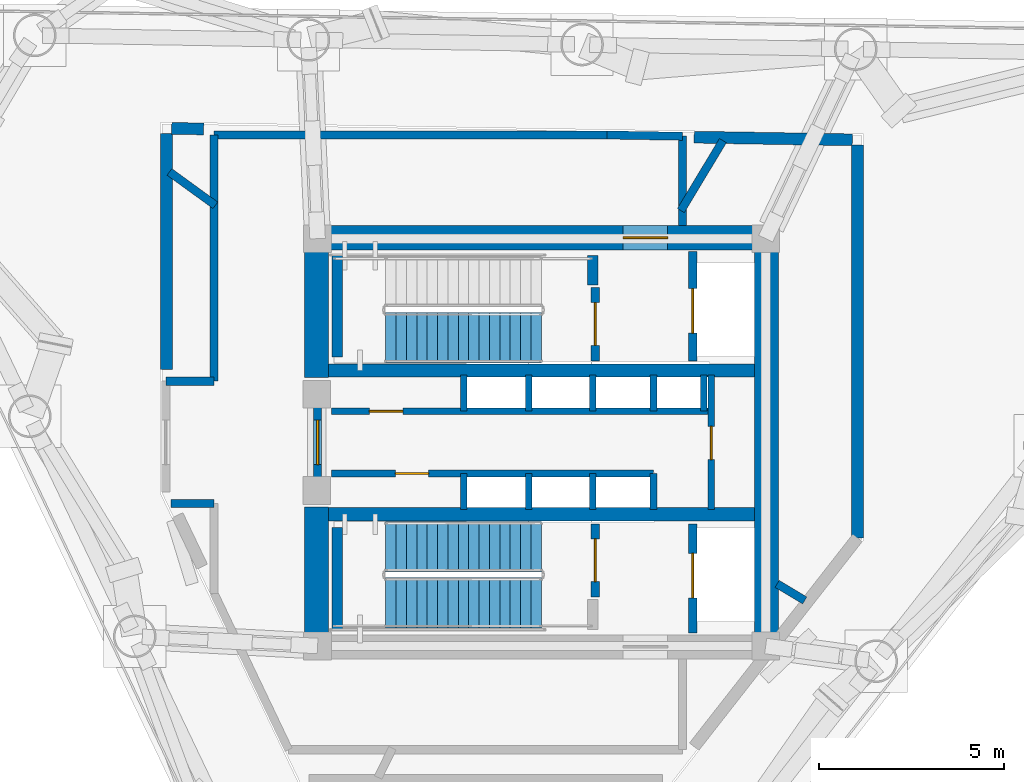
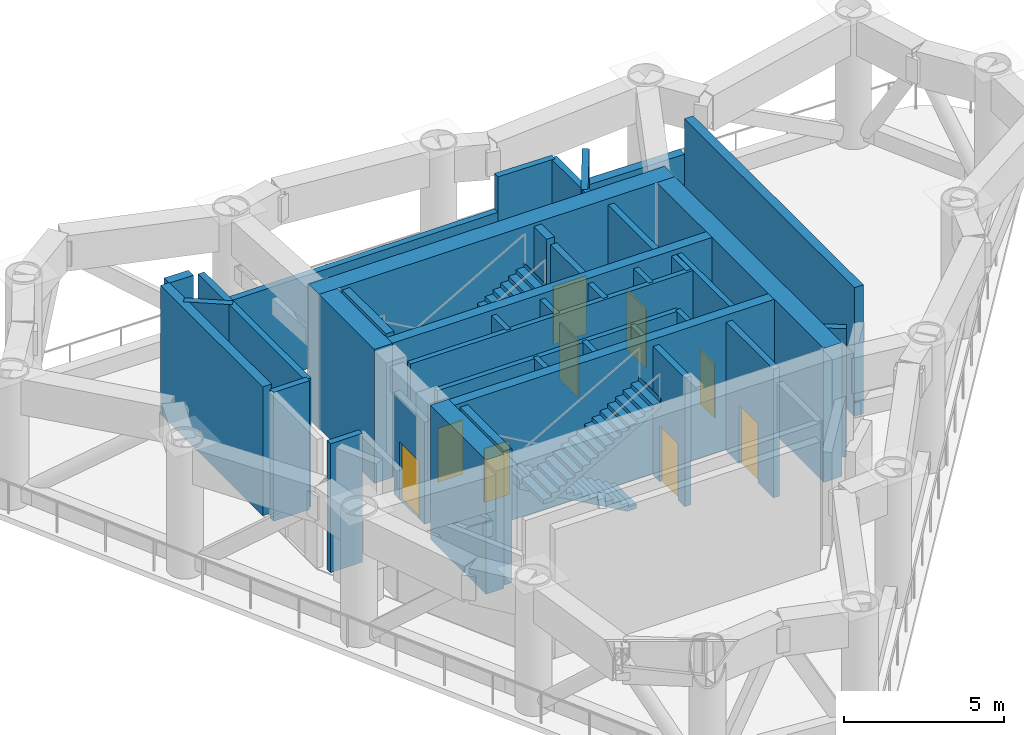
# One storey, part 4 of 8: 39 walls, 9 doors, 3 stair flights, 9 openings, 2 elements without a shape of their own.
"""IFC4 building model written with IfcOpenShell, lengths in metres."""

from ifc_helpers import new_model, si_unit, direction, frame, frame_2d, origin, place, context, subcontext, project, spatial, polyline, rectangle, outline, extrude, material, layer, layer_set, type_object, element, fill, aggregate, save


model = new_model("IFC4")

# Units and contexts
model_context = context("Model", 3, precision=1e-05, world=origin(), true_north=direction((0.0, 1.0)))
body_context = subcontext(model_context, "Body", "Model", "MODEL_VIEW")
ifc_project = project(units=[si_unit("LENGTHUNIT", "METRE"), si_unit("AREAUNIT", "SQUARE_METRE"), si_unit("VOLUMEUNIT", "CUBIC_METRE"), si_unit("PLANEANGLEUNIT", "RADIAN"), si_unit("MASSUNIT", "GRAM", prefix="KILO")], contexts=[model_context])

# Site, building, storey
site_placement = place(None, origin())
site = spatial("IfcSite", under=ifc_project, at=site_placement, CompositionType="ELEMENT")
building_placement = place(site_placement, origin())
building = spatial("IfcBuilding", under=site, at=building_placement, Name="Yunling Apex Tower", CompositionType="ELEMENT")
storey_placement = place(building_placement, frame((0.0, 0.0, 219.050048828125)))
storey = spatial("IfcBuildingStorey", under=building, at=storey_placement, Name="RF6", CompositionType="ELEMENT", Elevation=219.050048828125)

# Wall, opening, door
ifc_material_1 = material(Name="Concrete C50", Category="concrete")
ifc_layer_1 = layer(ifc_material_1, 0.64990234375)
ifc_layer_set_1 = layer_set([ifc_layer_1], Name="Concrete C50")
wall_type_1 = type_object("IfcWallType", Name="WL-COR-2", PredefinedType="SHEAR", material=ifc_layer_set_1)
wall_1_placement = place(storey_placement, frame((-6.39990234375, 5.52490234375, 0.0), z_axis=(0.0, 0.0, 1.0), x_axis=(1.0, 0.0, 0.0)))
wall_1 = element("IfcWall", 1, at=wall_1_placement, inside=storey, type_object=wall_type_1, Name="RF6 North Core Shear Wall", PredefinedType="SHEAR", context=body_context, shape_type="SweptSolid", body=[
    extrude(rectangle(XDim=12.7998046875, YDim=0.64990234375, at=frame_2d((6.39990234375, 0.0))), origin(), (0.0, 0.0, 1.0), 5.099853515625),
])
opening_1_placement = place(wall_1_placement, frame((8.60009765625, 0.0, 0.0)))
opening_1 = element("IfcOpeningElement", 2, at=opening_1_placement, cuts=wall_1, Name="Opening DR-FFL-1", PredefinedType="OPENING", context=body_context, shape_type="SweptSolid", body=[
    extrude(rectangle(XDim=1.199951171875, YDim=2.199951171875, at=frame_2d((0.60009765625, 1.10009765625))), frame((0.0, 0.3349609375, 0.0), z_axis=(0.0, -1.0, 0.0), x_axis=(1.0, 0.0, 0.0)), (0.0, 0.0, 1.0), 0.669921875),
])
ifc_material_2 = material(Name="Steel Q355B", Category="steel")
door_type_1 = type_object("IfcDoorType", Name="DR-FFL-1", OperationType="NOTDEFINED", PredefinedType="DOOR", material=ifc_material_2)
door_1_placement = place(opening_1_placement, origin())
door_1 = element("IfcDoor", 3, at=door_1_placement, inside=storey, type_object=door_type_1, Name="RF6 North Firefighting Lobby Door", OperationType="SINGLE_SWING_LEFT", OverallHeight=2.199951171875, OverallWidth=1.199951171875, PredefinedType="DOOR", context=body_context, shape_type="SweptSolid", body=[
    extrude(rectangle(XDim=1.199951171875, YDim=2.199951171875, at=frame_2d((0.60009765625, 1.10009765625))), frame((0.0, 0.02490234375, 0.0), z_axis=(0.0, -1.0, 0.0), x_axis=(1.0, 0.0, 0.0)), (0.0, 0.0, 1.0), 0.050048828125),
])
fill(opening_1, door_1)

# Walls
wall_2_placement = place(storey_placement, frame((6.074951171875, -5.199951171875, 0.0), z_axis=(0.0, 0.0, 1.0), x_axis=(0.0, 1.0, 0.0)))
element("IfcWall", 4, at=wall_2_placement, inside=storey, type_object=wall_type_1, Name="RF6 East Core Shear Wall", PredefinedType="SHEAR", context=body_context, shape_type="SweptSolid", body=[
    extrude(rectangle(XDim=10.39990234375, YDim=0.64990234375, at=frame_2d((5.199951171875, 0.0))), origin(), (0.0, 0.0, 1.0), 5.099853515625),
])
for number, where, z_axis, x_axis, name in (
    (5, (-6.074951171875, -5.199951171875, 0.0), (0.0, 0.0, 1.0), (0.0, 1.0, 0.0), "RF6 West-South Core Shear Wall"),
    (6, (-6.074951171875, 1.75, 0.0), (0.0, 0.0, 1.0), (0.0, 1.0, 0.0), "RF6 West-North Core Shear Wall"),
):
    element("IfcWall", number, at=place(storey_placement, frame(where, z_axis=z_axis, x_axis=x_axis)), inside=storey, type_object=wall_type_1, Name=name, PredefinedType="SHEAR", context=body_context, shape_type="SweptSolid", body=[
        extrude(rectangle(XDim=3.449951171875, YDim=0.64990234375, at=frame_2d((1.72509765625, 0.0))), origin(), (0.0, 0.0, 1.0), 5.099853515625),
    ])
ifc_material_3 = material(Name="Concrete C40", Category="concrete")
ifc_layer_2 = layer(ifc_material_3, 0.360107421875)
ifc_layer_set_2 = layer_set([ifc_layer_2], Name="Concrete C40")
wall_type_2 = type_object("IfcWallType", Name="WL-COR-4", PredefinedType="SHEAR", material=ifc_layer_set_2)
for number, where, z_axis, x_axis, name in (
    (7, (-5.75, 1.93994140625, 0.0), (0.0, 0.0, 1.0), (1.0, 0.0, 0.0), "RF6 North Internal Core Shear Wall"),
    (8, (-5.75, -1.93994140625, 0.0), (0.0, 0.0, 1.0), (1.0, 0.0, 0.0), "RF6 South Internal Core Shear Wall"),
):
    element("IfcWall", number, at=place(storey_placement, frame(where, z_axis=z_axis, x_axis=x_axis)), inside=storey, type_object=wall_type_2, Name=name, PredefinedType="SHEAR", context=body_context, shape_type="SweptSolid", body=[
        extrude(rectangle(XDim=11.5, YDim=0.360107421875, at=frame_2d((5.75, 0.0))), origin(), (0.0, 0.0, 1.0), 5.099853515625),
    ])
ifc_layer_3 = layer(ifc_material_3, 0.280029296875)
ifc_layer_set_3 = layer_set([ifc_layer_3], Name="Concrete C40")
wall_type_3 = type_object("IfcWallType", Name="WL-COR-8", PredefinedType="SHEAR", material=ifc_layer_set_3)
wall_3_placement = place(storey_placement, frame((-5.52001953125, 2.300048828125, 0.0), z_axis=(0.0, 0.0, 1.0), x_axis=(0.0, 1.0, 0.0)))
element("IfcWall", 9, at=wall_3_placement, inside=storey, type_object=wall_type_3, Name="RF6 ST-1 West Landing Bearing Wall", PredefinedType="SHEAR", context=body_context, shape_type="SweptSolid", body=[
    extrude(rectangle(XDim=2.75, YDim=0.280029296875, at=frame_2d((1.375, 0.0))), origin(), (0.0, 0.0, 1.0), 5.099853515625),
])
wall_4_placement = place(storey_placement, frame((1.3798828125, 4.25, 0.0), z_axis=(0.0, 0.0, 1.0), x_axis=(0.0, 1.0, 0.0)))
element("IfcWall", 10, at=wall_4_placement, inside=storey, type_object=wall_type_3, Name="RF6 ST-1 East Landing Bearing Pier", PredefinedType="SHEAR", context=body_context, shape_type="SweptSolid", body=[
    extrude(rectangle(XDim=0.800048828125, YDim=0.280029296875, at=frame_2d((0.39990234375, 0.0))), origin(), (0.0, 0.0, 1.0), 5.099853515625),
])
wall_5_placement = place(storey_placement, frame((-5.52001953125, -5.050048828125, 0.0), z_axis=(0.0, 0.0, 1.0), x_axis=(0.0, 1.0, 0.0)))
element("IfcWall", 11, at=wall_5_placement, inside=storey, type_object=wall_type_3, Name="RF6 ST-2 West Landing Bearing Wall", PredefinedType="SHEAR", context=body_context, shape_type="SweptSolid", body=[
    extrude(rectangle(XDim=2.75, YDim=0.280029296875, at=frame_2d((1.375, 0.0))), origin(), (0.0, 0.0, 1.0), 5.099853515625),
])
ifc_material_4 = material(Name="Precast concrete C40", Category="concrete")
ifc_layer_4 = layer(ifc_material_4, 0.320068359375)
ifc_layer_set_4 = layer_set([ifc_layer_4], Name="Precast concrete C40")
wall_type_4 = type_object("IfcWallType", Name="WL-EXT-1", PredefinedType="SOLIDWALL", material=ifc_layer_set_4)
wall_6_placement = place(storey_placement, frame((-10.1298828125, 1.969970703125, 0.0), z_axis=(0.0, 0.0, 1.0), x_axis=(0.0, 1.0, 0.0)))
element("IfcWall", 12, at=wall_6_placement, inside=storey, type_object=wall_type_4, Name="WL-RF6-IR-04", PredefinedType="SOLIDWALL", context=body_context, shape_type="SweptSolid", body=[
    extrude(rectangle(XDim=6.369384765625, YDim=0.320068359375, at=frame_2d((3.1845703125, 0.0))), origin(), (0.0, 0.0, 1.0), 4.89990234375),
])
wall_7_placement = place(storey_placement, frame((-9.989990234375, 8.47705078125, 0.0), z_axis=(0.0, 0.0, 1.0), x_axis=(0.999861296778, -0.016654945373, 0.0)))
element("IfcWall", 13, at=wall_7_placement, inside=storey, type_object=wall_type_4, Name="WL-RF6-IR-05", PredefinedType="SOLIDWALL", context=body_context, shape_type="SweptSolid", body=[
    extrude(rectangle(XDim=0.86474609375, YDim=0.320068359375, at=frame_2d((0.432373046875, 0.0))), origin(), (0.0, 0.0, 1.0), 4.89990234375),
])
wall_8_placement = place(storey_placement, frame((4.1201171875, 8.240478515625, 0.0), z_axis=(0.0, 0.0, 1.0), x_axis=(0.999859691533, -0.016751037202, 0.0)))
element("IfcWall", 14, at=wall_8_placement, inside=storey, type_object=wall_type_4, Name="WL-RF6-IR-06", PredefinedType="SOLIDWALL", context=body_context, shape_type="SweptSolid", body=[
    extrude(rectangle(XDim=4.270263671875, YDim=0.320068359375, at=frame_2d((2.13525390625, 0.0))), origin(), (0.0, 0.0, 1.0), 3.554931640625),
])
wall_9_placement = place(storey_placement, frame((8.530029296875, 8.026611328125, 0.0), z_axis=(0.0, 0.0, 1.0), x_axis=(0.0, -1.0, 0.0)))
element("IfcWall", 15, at=wall_9_placement, inside=storey, type_object=wall_type_4, Name="WL-RF6-IR-07", PredefinedType="SOLIDWALL", context=body_context, shape_type="SweptSolid", body=[
    extrude(rectangle(XDim=10.607421875, YDim=0.320068359375, at=frame_2d((5.3037109375, 0.0))), origin(), (0.0, 0.0, 1.0), 4.89990234375),
])

# Wall, opening, door
ifc_material_5 = material(Name="Autoclaved aerated concrete masonry", Category="masonry")
ifc_layer_5 = layer(ifc_material_5, 0.219970703125)
ifc_layer_set_5 = layer_set([ifc_layer_5], Name="Autoclaved aerated concrete masonry")
wall_type_5 = type_object("IfcWallType", Name="WL-SHF-1", PredefinedType="PLUMBINGWALL", material=ifc_layer_set_5)
wall_10_placement = place(storey_placement, frame((-6.050048828125, -0.949951171875, 0.0), z_axis=(0.0, 0.0, 1.0), x_axis=(0.0, 1.0, 0.0)))
wall_10 = element("IfcWall", 16, at=wall_10_placement, inside=storey, type_object=wall_type_5, Name="WL-COR-WPORT-RF6", PredefinedType="PLUMBINGWALL", context=body_context, shape_type="SweptSolid", body=[
    extrude(rectangle(XDim=1.89990234375, YDim=0.219970703125, at=frame_2d((0.949951171875, 0.0))), origin(), (0.0, 0.0, 1.0), 3.8798828125),
])
opening_2_placement = place(wall_10_placement, frame((0.35009765625, 0.0, 0.0)))
opening_2 = element("IfcOpeningElement", 17, at=opening_2_placement, cuts=wall_10, Name="Opening DR-FFL-1", PredefinedType="OPENING", context=body_context, shape_type="SweptSolid", body=[
    extrude(rectangle(XDim=1.199951171875, YDim=2.199951171875, at=frame_2d((0.60009765625, 1.10009765625))), frame((0.0, 0.1201171875, 0.0), z_axis=(0.0, -1.0, 0.0), x_axis=(1.0, 0.0, 0.0)), (0.0, 0.0, 1.0), 0.239990234375),
])
door_2_placement = place(opening_2_placement, origin())
door_2 = element("IfcDoor", 18, at=door_2_placement, inside=storey, type_object=door_type_1, Name="RF6 Passenger Lift Lobby Entrance Door", OperationType="SINGLE_SWING_LEFT", OverallHeight=2.199951171875, OverallWidth=1.199951171875, PredefinedType="DOOR", context=body_context, shape_type="SweptSolid", body=[
    extrude(rectangle(XDim=1.199951171875, YDim=2.199951171875, at=frame_2d((0.60009765625, 1.10009765625))), frame((0.0, 0.02490234375, 0.0), z_axis=(0.0, -1.0, 0.0), x_axis=(1.0, 0.0, 0.0)), (0.0, 0.0, 1.0), 0.050048828125),
])
fill(opening_2, door_2)

wall_11_placement = place(storey_placement, frame((1.449951171875, 2.199951171875, 0.0), z_axis=(0.0, 0.0, 1.0), x_axis=(0.0, 1.0, 0.0)))
wall_11 = element("IfcWall", 19, at=wall_11_placement, inside=storey, type_object=wall_type_5, Name="WL-ST1-E-RF6", PredefinedType="PLUMBINGWALL", context=body_context, shape_type="SweptSolid", body=[
    extrude(rectangle(XDim=1.97998046875, YDim=0.219970703125, at=frame_2d((0.989990234375, 0.0))), origin(), (0.0, 0.0, 1.0), 4.89990234375),
])
opening_3_placement = place(wall_11_placement, frame((0.419921875, 0.0, 0.0)))
opening_3 = element("IfcOpeningElement", 20, at=opening_3_placement, cuts=wall_11, Name="Opening DR-ST-1", PredefinedType="OPENING", context=body_context, shape_type="SweptSolid", body=[
    extrude(rectangle(XDim=1.14990234375, YDim=2.14990234375, at=frame_2d((0.574951171875, 1.074951171875))), frame((0.0, 0.1201171875, 0.0), z_axis=(0.0, -1.0, 0.0), x_axis=(1.0, 0.0, 0.0)), (0.0, 0.0, 1.0), 0.239990234375),
])
door_type_2 = type_object("IfcDoorType", Name="DR-ST-1", OperationType="NOTDEFINED", PredefinedType="DOOR", material=ifc_material_2)
door_3_placement = place(opening_3_placement, origin())
door_3 = element("IfcDoor", 21, at=door_3_placement, inside=storey, type_object=door_type_2, Name="RF6 Stair ST-1 Fire Door", OperationType="SINGLE_SWING_RIGHT", OverallHeight=2.14990234375, OverallWidth=1.14990234375, PredefinedType="DOOR", context=body_context, shape_type="SweptSolid", body=[
    extrude(rectangle(XDim=1.14990234375, YDim=2.14990234375, at=frame_2d((0.574951171875, 1.074951171875))), frame((0.0, 0.02490234375, 0.0), z_axis=(0.0, -1.0, 0.0), x_axis=(1.0, 0.0, 0.0)), (0.0, 0.0, 1.0), 0.050048828125),
])
fill(opening_3, door_3)

wall_12_placement = place(storey_placement, frame((4.080078125, 2.199951171875, 0.0), z_axis=(0.0, 0.0, 1.0), x_axis=(0.0, 1.0, 0.0)))
wall_12 = element("IfcWall", 22, at=wall_12_placement, inside=storey, type_object=wall_type_5, Name="WL-FFL1-W-RF6", PredefinedType="PLUMBINGWALL", context=body_context, shape_type="SweptSolid", body=[
    extrude(rectangle(XDim=2.949951171875, YDim=0.219970703125, at=frame_2d((1.47509765625, 0.0))), origin(), (0.0, 0.0, 1.0), 4.89990234375),
])
opening_4_placement = place(wall_12_placement, frame((0.75, 0.0, 0.0)))
opening_4 = element("IfcOpeningElement", 23, at=opening_4_placement, cuts=wall_12, Name="Opening LD-FFL-1", PredefinedType="OPENING", context=body_context, shape_type="SweptSolid", body=[
    extrude(rectangle(XDim=1.199951171875, YDim=2.25, at=frame_2d((0.60009765625, 1.125))), frame((0.0, 0.1201171875, 0.0), z_axis=(0.0, -1.0, 0.0), x_axis=(1.0, 0.0, 0.0)), (0.0, 0.0, 1.0), 0.239990234375),
])
door_type_3 = type_object("IfcDoorType", Name="LD-FFL-1", OperationType="DOUBLE_DOOR_SLIDING", PredefinedType="DOOR", material=ifc_material_2)
door_4_placement = place(opening_4_placement, origin())
door_4 = element("IfcDoor", 24, at=door_4_placement, inside=storey, type_object=door_type_3, Name="RF6 Lift FFL-1 Landing Door", OperationType="DOUBLE_DOOR_SLIDING", OverallHeight=2.25, OverallWidth=1.199951171875, PredefinedType="DOOR", context=body_context, shape_type="SweptSolid", body=[
    extrude(rectangle(XDim=1.199951171875, YDim=2.25, at=frame_2d((0.60009765625, 1.125))), frame((0.0, 0.02490234375, 0.0), z_axis=(0.0, -1.0, 0.0), x_axis=(1.0, 0.0, 0.0)), (0.0, 0.0, 1.0), 0.050048828125),
])
fill(opening_4, door_4)

wall_13_placement = place(storey_placement, frame((1.449951171875, -4.179931640625, 0.0), z_axis=(0.0, 0.0, 1.0), x_axis=(0.0, 1.0, 0.0)))
wall_13 = element("IfcWall", 25, at=wall_13_placement, inside=storey, type_object=wall_type_5, Name="WL-ST2-E-RF6", PredefinedType="PLUMBINGWALL", context=body_context, shape_type="SweptSolid", body=[
    extrude(rectangle(XDim=1.97998046875, YDim=0.219970703125, at=frame_2d((0.989990234375, 0.0))), origin(), (0.0, 0.0, 1.0), 4.89990234375),
])
opening_5_placement = place(wall_13_placement, frame((0.419921875, 0.0, 0.0)))
opening_5 = element("IfcOpeningElement", 26, at=opening_5_placement, cuts=wall_13, Name="Opening DR-ST-1", PredefinedType="OPENING", context=body_context, shape_type="SweptSolid", body=[
    extrude(rectangle(XDim=1.14990234375, YDim=2.14990234375, at=frame_2d((0.574951171875, 1.074951171875))), frame((0.0, 0.1201171875, 0.0), z_axis=(0.0, -1.0, 0.0), x_axis=(1.0, 0.0, 0.0)), (0.0, 0.0, 1.0), 0.239990234375),
])
door_5_placement = place(opening_5_placement, origin())
door_5 = element("IfcDoor", 27, at=door_5_placement, inside=storey, type_object=door_type_2, Name="RF6 Stair ST-2 Fire Door", OperationType="SINGLE_SWING_LEFT", OverallHeight=2.14990234375, OverallWidth=1.14990234375, PredefinedType="DOOR", context=body_context, shape_type="SweptSolid", body=[
    extrude(rectangle(XDim=1.14990234375, YDim=2.14990234375, at=frame_2d((0.574951171875, 1.074951171875))), frame((0.0, 0.02490234375, 0.0), z_axis=(0.0, -1.0, 0.0), x_axis=(1.0, 0.0, 0.0)), (0.0, 0.0, 1.0), 0.050048828125),
])
fill(opening_5, door_5)

wall_14_placement = place(storey_placement, frame((4.080078125, -5.14990234375, 0.0), z_axis=(0.0, 0.0, 1.0), x_axis=(0.0, 1.0, 0.0)))
wall_14 = element("IfcWall", 28, at=wall_14_placement, inside=storey, type_object=wall_type_5, Name="WL-FFL2-W-RF6", PredefinedType="PLUMBINGWALL", context=body_context, shape_type="SweptSolid", body=[
    extrude(rectangle(XDim=2.949951171875, YDim=0.219970703125, at=frame_2d((1.47509765625, 0.0))), origin(), (0.0, 0.0, 1.0), 4.89990234375),
])
opening_6_placement = place(wall_14_placement, frame((0.949951171875, 0.0, 0.0)))
opening_6 = element("IfcOpeningElement", 29, at=opening_6_placement, cuts=wall_14, Name="Opening LD-FFL-1", PredefinedType="OPENING", context=body_context, shape_type="SweptSolid", body=[
    extrude(rectangle(XDim=1.199951171875, YDim=2.25, at=frame_2d((0.60009765625, 1.125))), frame((0.0, 0.1201171875, 0.0), z_axis=(0.0, -1.0, 0.0), x_axis=(1.0, 0.0, 0.0)), (0.0, 0.0, 1.0), 0.239990234375),
])
door_6_placement = place(opening_6_placement, origin())
door_6 = element("IfcDoor", 30, at=door_6_placement, inside=storey, type_object=door_type_3, Name="RF6 Lift FFL-2 Landing Door", OperationType="DOUBLE_DOOR_SLIDING", OverallHeight=2.25, OverallWidth=1.199951171875, PredefinedType="DOOR", context=body_context, shape_type="SweptSolid", body=[
    extrude(rectangle(XDim=1.199951171875, YDim=2.25, at=frame_2d((0.60009765625, 1.125))), frame((0.0, 0.02490234375, 0.0), z_axis=(0.0, -1.0, 0.0), x_axis=(1.0, 0.0, 0.0)), (0.0, 0.0, 1.0), 0.050048828125),
])
fill(opening_6, door_6)

# Walls
wall_15_placement = place(storey_placement, frame((3.760009765625, 6.2578125, 0.0), z_axis=(0.0, 0.0, 1.0), x_axis=(0.515016754441, 0.857180110971, 0.0)))
element("IfcWall", 31, at=wall_15_placement, inside=storey, type_object=wall_type_5, Name="WL-RF6-PDIV-59", PredefinedType="PLUMBINGWALL", context=body_context, shape_type="SweptSolid", body=[
    extrude(rectangle(XDim=2.204833984375, YDim=0.219970703125, at=frame_2d((1.1025390625, 0.0))), origin(), (0.0, 0.0, 1.0), 4.89990234375),
])
wall_16_placement = place(storey_placement, frame((-8.81005859375, 6.40087890625, 0.0), z_axis=(0.0, 0.0, 1.0), x_axis=(-0.809025288471, 0.587773836279, 0.0)))
element("IfcWall", 32, at=wall_16_placement, inside=storey, type_object=wall_type_5, Name="WL-RF6-PDIV-144", PredefinedType="PLUMBINGWALL", context=body_context, shape_type="SweptSolid", body=[
    extrude(rectangle(XDim=1.53271484375, YDim=0.219970703125, at=frame_2d((0.766357421875, 0.0))), origin(), (0.0, 0.0, 1.0), 4.89990234375),
])
wall_17_placement = place(storey_placement, frame((6.360107421875, -3.821533203125, 0.0), z_axis=(0.0, 0.0, 1.0), x_axis=(0.85709698236, -0.515155086193, 0.0)))
element("IfcWall", 33, at=wall_17_placement, inside=storey, type_object=wall_type_5, Name="WL-RF6-PDIV-329", PredefinedType="PLUMBINGWALL", context=body_context, shape_type="SweptSolid", body=[
    extrude(rectangle(XDim=0.87109375, YDim=0.219970703125, at=frame_2d((0.435546875, 0.0))), origin(), (0.0, 0.0, 1.0), 4.89990234375),
])
wall_18_placement = place(storey_placement, frame((3.800048828125, 8.265869140625, 0.0), z_axis=(0.0, 0.0, 1.0), x_axis=(0.0, -1.0, 0.0)))
element("IfcWall", 34, at=wall_18_placement, inside=storey, type_object=wall_type_5, Name="WL-RF6-PCR-01", PredefinedType="PLUMBINGWALL", context=body_context, shape_type="SweptSolid", body=[
    extrude(rectangle(XDim=2.415771484375, YDim=0.219970703125, at=frame_2d((1.2080078125, 0.0))), origin(), (0.0, 0.0, 1.0), 4.89990234375),
])
wall_19_placement = place(storey_placement, frame((-8.85009765625, -1.64990234375, 0.0), z_axis=(0.0, 0.0, 1.0), x_axis=(-1.0, 0.0, 0.0)))
element("IfcWall", 35, at=wall_19_placement, inside=storey, type_object=wall_type_5, Name="WL-RF6-PCR-06", PredefinedType="PLUMBINGWALL", context=body_context, shape_type="SweptSolid", body=[
    extrude(rectangle(XDim=1.156982421875, YDim=0.219970703125, at=frame_2d((0.57861328125, 0.0))), origin(), (0.0, 0.0, 1.0), 4.89990234375),
])
wall_20_placement = place(storey_placement, frame((-10.14990234375, 1.64990234375, 0.0), z_axis=(0.0, 0.0, 1.0), x_axis=(1.0, 0.0, 0.0)))
element("IfcWall", 36, at=wall_20_placement, inside=storey, type_object=wall_type_5, Name="WL-RF6-PCR-09", PredefinedType="PLUMBINGWALL", context=body_context, shape_type="SweptSolid", body=[
    extrude(rectangle(XDim=1.2998046875, YDim=0.219970703125, at=frame_2d((0.64990234375, 0.0))), origin(), (0.0, 0.0, 1.0), 4.89990234375),
])
wall_21_placement = place(storey_placement, frame((-8.85009765625, 1.64990234375, 0.0), z_axis=(0.0, 0.0, 1.0), x_axis=(0.0, 1.0, 0.0)))
element("IfcWall", 37, at=wall_21_placement, inside=storey, type_object=wall_type_5, Name="WL-RF6-PCR-10", PredefinedType="PLUMBINGWALL", context=body_context, shape_type="SweptSolid", body=[
    extrude(rectangle(XDim=6.650146484375, YDim=0.219970703125, at=frame_2d((3.3251953125, 0.0))), origin(), (0.0, 0.0, 1.0), 4.89990234375),
])
wall_22_placement = place(storey_placement, frame((-8.85009765625, 8.300048828125, 0.0), z_axis=(0.0, 0.0, 1.0), x_axis=(1.0, 0.0, 0.0)))
element("IfcWall", 38, at=wall_22_placement, inside=storey, type_object=wall_type_5, Name="WL-RF6-PCR-11", PredefinedType="PLUMBINGWALL", context=body_context, shape_type="SweptSolid", body=[
    extrude(rectangle(XDim=10.61767578125, YDim=0.219970703125, at=frame_2d((5.308837890625, 0.0))), origin(), (0.0, 0.0, 1.0), 3.554931640625),
])
wall_23_placement = place(storey_placement, frame((1.767578125, 8.300048828125, 0.0), z_axis=(0.0, 0.0, 1.0), x_axis=(0.999858627321, -0.016814439378, 0.0)))
element("IfcWall", 39, at=wall_23_placement, inside=storey, type_object=wall_type_5, Name="WL-RF6-PCR-12", PredefinedType="PLUMBINGWALL", context=body_context, shape_type="SweptSolid", body=[
    extrude(rectangle(XDim=2.03271484375, YDim=0.219970703125, at=frame_2d((1.016357421875, 0.0))), origin(), (0.0, 0.0, 1.0), 4.89990234375),
])
ifc_layer_6 = layer(ifc_material_5, 0.179931640625)
ifc_layer_set_6 = layer_set([ifc_layer_6], Name="Autoclaved aerated concrete masonry")
wall_type_6 = type_object("IfcWallType", Name="WL-SHF-2", PredefinedType="PLUMBINGWALL", material=ifc_layer_set_6)
for number, where, z_axis, x_axis, name in (
    (40, (-2.10009765625, 0.840087890625, 0.0), (0.0, 0.0, 1.0), (0.0, 1.0, 0.0), "WL-BNK-LM-N-RF6"),
    (41, (-2.10009765625, -1.820068359375, 0.0), (0.0, 0.0, 1.0), (0.0, 1.0, 0.0), "WL-BNK-LM-S-RF6"),
    (42, (-0.35009765625, 0.840087890625, 0.0), (0.0, 0.0, 1.0), (0.0, 1.0, 0.0), "WL-DIV-M12-RF6"),
    (43, (-0.35009765625, -1.820068359375, 0.0), (0.0, 0.0, 1.0), (0.0, 1.0, 0.0), "WL-DIV-M34-RF6"),
    (44, (1.3798828125, 0.840087890625, 0.0), (0.0, 0.0, 1.0), (0.0, 1.0, 0.0), "WL-BNK-MH-N-RF6"),
    (45, (1.3798828125, -1.820068359375, 0.0), (0.0, 0.0, 1.0), (0.0, 1.0, 0.0), "WL-BNK-MH-S-RF6"),
    (46, (3.02001953125, 0.840087890625, 0.0), (0.0, 0.0, 1.0), (0.0, 1.0, 0.0), "WL-DIV-H13-RF6"),
    (47, (4.3798828125, 0.840087890625, 0.0), (0.0, 0.0, 1.0), (0.0, 1.0, 0.0), "WL-END-H3E-RF6"),
    (48, (3.02001953125, -1.820068359375, 0.0), (0.0, 0.0, 1.0), (0.0, 1.0, 0.0), "WL-END-H2E-RF6"),
):
    element("IfcWall", number, at=place(storey_placement, frame(where, z_axis=z_axis, x_axis=x_axis)), inside=storey, type_object=wall_type_6, Name=name, PredefinedType="PLUMBINGWALL", context=body_context, shape_type="SweptSolid", body=[
        extrude(rectangle(XDim=0.97998046875, YDim=0.179931640625, at=frame_2d((0.489990234375, 0.0))), origin(), (0.0, 0.0, 1.0), 4.89990234375),
    ])

# Wall, opening, door
wall_24_placement = place(storey_placement, frame((4.580078125, -1.820068359375, 0.0), z_axis=(0.0, 0.0, 1.0), x_axis=(0.0, 1.0, 0.0)))
wall_24 = element("IfcWall", 49, at=wall_24_placement, inside=storey, type_object=wall_type_6, Name="WL-KBE-W-RF6", PredefinedType="PLUMBINGWALL", context=body_context, shape_type="SweptSolid", body=[
    extrude(rectangle(XDim=3.64013671875, YDim=0.179931640625, at=frame_2d((1.820068359375, 0.0))), origin(), (0.0, 0.0, 1.0), 4.89990234375),
])
opening_7_placement = place(wall_24_placement, frame((1.35009765625, 0.0, 0.0)))
opening_7 = element("IfcOpeningElement", 50, at=opening_7_placement, cuts=wall_24, Name="Opening DR-SHF-1", PredefinedType="OPENING", context=body_context, shape_type="SweptSolid", body=[
    extrude(rectangle(XDim=0.89990234375, YDim=2.050048828125, at=frame_2d((0.449951171875, 1.02490234375))), frame((0.0, 0.10009765625, 0.0), z_axis=(0.0, -1.0, 0.0), x_axis=(1.0, 0.0, 0.0)), (0.0, 0.0, 1.0), 0.199951171875),
])
door_type_4 = type_object("IfcDoorType", Name="DR-SHF-1", OperationType="NOTDEFINED", PredefinedType="DOOR", material=ifc_material_2)
door_7_placement = place(opening_7_placement, origin())
door_7 = element("IfcDoor", 51, at=door_7_placement, inside=storey, type_object=door_type_4, Name="RF6 Core Meter Room Door", OperationType="SINGLE_SWING_RIGHT", OverallHeight=2.050048828125, OverallWidth=0.89990234375, PredefinedType="DOOR", context=body_context, shape_type="SweptSolid", body=[
    extrude(rectangle(XDim=0.89990234375, YDim=2.050048828125, at=frame_2d((0.449951171875, 1.02490234375))), frame((0.0, 0.02490234375, 0.0), z_axis=(0.0, -1.0, 0.0), x_axis=(1.0, 0.0, 0.0)), (0.0, 0.0, 1.0), 0.050048828125),
])
fill(opening_7, door_7)

wall_25_placement = place(storey_placement, frame((-5.679931640625, 0.840087890625, 0.0), z_axis=(0.0, 0.0, 1.0), x_axis=(1.0, 0.0, 0.0)))
wall_25 = element("IfcWall", 52, at=wall_25_placement, inside=storey, type_object=wall_type_6, Name="WL-LOB-N-RF6", PredefinedType="PLUMBINGWALL", context=body_context, shape_type="SweptSolid", body=[
    extrude(rectangle(XDim=10.260009765625, YDim=0.179931640625, at=frame_2d((5.1298828125, 0.0))), origin(), (0.0, 0.0, 1.0), 4.89990234375),
])
opening_8_placement = place(wall_25_placement, frame((1.030029296875, 0.0, 0.0)))
opening_8 = element("IfcOpeningElement", 53, at=opening_8_placement, cuts=wall_25, Name="Opening DR-SHF-1", PredefinedType="OPENING", context=body_context, shape_type="SweptSolid", body=[
    extrude(rectangle(XDim=0.89990234375, YDim=2.050048828125, at=frame_2d((0.449951171875, 1.02490234375))), frame((0.0, 0.10009765625, 0.0), z_axis=(0.0, -1.0, 0.0), x_axis=(1.0, 0.0, 0.0)), (0.0, 0.0, 1.0), 0.199951171875),
])
door_8_placement = place(opening_8_placement, origin())
door_8 = element("IfcDoor", 54, at=door_8_placement, inside=storey, type_object=door_type_4, Name="RF6 LV Switchgear Door", OperationType="SINGLE_SWING_LEFT", OverallHeight=2.050048828125, OverallWidth=0.89990234375, PredefinedType="DOOR", context=body_context, shape_type="SweptSolid", body=[
    extrude(rectangle(XDim=0.89990234375, YDim=2.050048828125, at=frame_2d((0.449951171875, 1.02490234375))), frame((0.0, 0.02490234375, 0.0), z_axis=(0.0, -1.0, 0.0), x_axis=(1.0, 0.0, 0.0)), (0.0, 0.0, 1.0), 0.050048828125),
])
fill(opening_8, door_8)

wall_26_placement = place(storey_placement, frame((-5.679931640625, -0.840087890625, 0.0), z_axis=(0.0, 0.0, 1.0), x_axis=(1.0, 0.0, 0.0)))
wall_26 = element("IfcWall", 55, at=wall_26_placement, inside=storey, type_object=wall_type_6, Name="WL-LOB-S-RF6", PredefinedType="PLUMBINGWALL", context=body_context, shape_type="SweptSolid", body=[
    extrude(rectangle(XDim=8.699951171875, YDim=0.179931640625, at=frame_2d((4.35009765625, 0.0))), origin(), (0.0, 0.0, 1.0), 4.89990234375),
])
opening_9_placement = place(wall_26_placement, frame((1.72998046875, 0.0, 0.0)))
opening_9 = element("IfcOpeningElement", 56, at=opening_9_placement, cuts=wall_26, Name="Opening DR-SHF-1", PredefinedType="OPENING", context=body_context, shape_type="SweptSolid", body=[
    extrude(rectangle(XDim=0.89990234375, YDim=2.050048828125, at=frame_2d((0.449951171875, 1.02490234375))), frame((0.0, 0.10009765625, 0.0), z_axis=(0.0, -1.0, 0.0), x_axis=(1.0, 0.0, 0.0)), (0.0, 0.0, 1.0), 0.199951171875),
])
door_9_placement = place(opening_9_placement, origin())
door_9 = element("IfcDoor", 57, at=door_9_placement, inside=storey, type_object=door_type_4, Name="RF6 Cleaners Store Door", OperationType="SINGLE_SWING_RIGHT", OverallHeight=2.050048828125, OverallWidth=0.89990234375, PredefinedType="DOOR", context=body_context, shape_type="SweptSolid", body=[
    extrude(rectangle(XDim=0.89990234375, YDim=2.050048828125, at=frame_2d((0.449951171875, 1.02490234375))), frame((0.0, 0.02490234375, 0.0), z_axis=(0.0, -1.0, 0.0), x_axis=(1.0, 0.0, 0.0)), (0.0, 0.0, 1.0), 0.050048828125),
])
fill(opening_9, door_9)

# Stair, stair flight
stair_type = type_object("IfcStairType", Name="ST-TWR-1", PredefinedType="HALF_TURN_STAIR", material=ifc_material_3)
stair_1_placement = place(storey_placement, origin())
stair_1 = element("IfcStair", 58, at=stair_1_placement, inside=storey, type_object=stair_type, Name="RF6 North Core Smokeproof Exit Stair ST-1", PredefinedType="HALF_TURN_STAIR")
stair_flight_type = type_object("IfcStairFlightType", Name="SFL-TWR-1", PredefinedType="STRAIGHT", material=ifc_material_3)
stair_flight_1_placement = place(storey_placement, frame((-4.2099609375, 2.820068359375, 2.550048828125), z_axis=(0.0, 0.0, 1.0), x_axis=(1.0, 0.0, 0.0)))
stair_flight_1 = element("IfcStairFlight", 59, at=stair_flight_1_placement, type_object=stair_flight_type, Name="ST-1 flight 2", NumberOfRisers=16, NumberOfTreads=15, PredefinedType="STRAIGHT", RiserHeight=0.159375, TreadLength=0.28, context=body_context, shape_type="SweptSolid", body=[
    extrude(outline(polyline([(-0.011962890625, 0.0), (-0.011962890625, 0.159423828125), (0.0, 0.159423828125), (0.280029296875, 0.159423828125), (0.280029296875, 0.31884765625), (0.56005859375, 0.31884765625), (0.56005859375, 0.47802734375), (0.840087890625, 0.47802734375), (0.840087890625, 0.637451171875), (1.1201171875, 0.637451171875), (1.1201171875, 0.796875), (1.39990234375, 0.796875), (1.39990234375, 0.956298828125), (1.679931640625, 0.956298828125), (1.679931640625, 1.11572265625), (1.9599609375, 1.11572265625), (1.9599609375, 1.27490234375), (2.239990234375, 1.27490234375), (2.239990234375, 1.434326171875), (2.52001953125, 1.434326171875), (2.52001953125, 1.59375), (2.800048828125, 1.59375), (2.800048828125, 1.753173828125), (3.080078125, 1.753173828125), (3.080078125, 1.91259765625), (3.360107421875, 1.91259765625), (3.360107421875, 2.07177734375), (3.639892578125, 2.07177734375), (3.639892578125, 2.231201171875), (3.919921875, 2.231201171875), (3.919921875, 2.390625), (4.199951171875, 2.390625), (4.199951171875, 2.550048828125), (4.2119140625, 2.550048828125), (4.2119140625, 2.20654296875), (0.3232421875, 0.0), (-0.011962890625, 0.0)])), frame((0.0, 0.68017578125, 0.0), z_axis=(0.0, -1.0, 0.0), x_axis=(1.0, 0.0, 0.0)), (0.0, 0.0, 1.0), 1.360107421875),
])
aggregate(stair_1, [stair_flight_1])

# Stair, stair flights
stair_2_placement = place(storey_placement, origin())
stair_2 = element("IfcStair", 60, at=stair_2_placement, inside=storey, type_object=stair_type, Name="RF6 South Core Smokeproof Exit Stair ST-2", PredefinedType="HALF_TURN_STAIR")
stair_flight_2_placement = place(storey_placement, frame((-0.010009765625, -2.820068359375, 0.0), z_axis=(0.0, 0.0, 1.0), x_axis=(-1.0, 0.0, 0.0)))
stair_flight_2 = element("IfcStairFlight", 61, at=stair_flight_2_placement, type_object=stair_flight_type, Name="ST-2 flight 1", NumberOfRisers=16, NumberOfTreads=15, PredefinedType="STRAIGHT", RiserHeight=0.159375, TreadLength=0.28, context=body_context, shape_type="SweptSolid", body=[
    extrude(outline(polyline([(-0.011962890625, 0.0), (-0.011962890625, 0.159423828125), (0.0, 0.159423828125), (0.280029296875, 0.159423828125), (0.280029296875, 0.31884765625), (0.56005859375, 0.31884765625), (0.56005859375, 0.47802734375), (0.840087890625, 0.47802734375), (0.840087890625, 0.637451171875), (1.1201171875, 0.637451171875), (1.1201171875, 0.796875), (1.39990234375, 0.796875), (1.39990234375, 0.956298828125), (1.679931640625, 0.956298828125), (1.679931640625, 1.11572265625), (1.9599609375, 1.11572265625), (1.9599609375, 1.27490234375), (2.239990234375, 1.27490234375), (2.239990234375, 1.434326171875), (2.52001953125, 1.434326171875), (2.52001953125, 1.59375), (2.800048828125, 1.59375), (2.800048828125, 1.753173828125), (3.080078125, 1.753173828125), (3.080078125, 1.91259765625), (3.360107421875, 1.91259765625), (3.360107421875, 2.07177734375), (3.639892578125, 2.07177734375), (3.639892578125, 2.231201171875), (3.919921875, 2.231201171875), (3.919921875, 2.390625), (4.199951171875, 2.390625), (4.199951171875, 2.550048828125), (4.2119140625, 2.550048828125), (4.2119140625, 2.20654296875), (0.3232421875, 0.0), (-0.011962890625, 0.0)])), frame((0.0, 0.68017578125, 0.0), z_axis=(0.0, -1.0, 0.0), x_axis=(1.0, 0.0, 0.0)), (0.0, 0.0, 1.0), 1.360107421875),
])
stair_flight_3_placement = place(storey_placement, frame((-4.2099609375, -4.330078125, 2.550048828125), z_axis=(0.0, 0.0, 1.0), x_axis=(1.0, 0.0, 0.0)))
stair_flight_3 = element("IfcStairFlight", 62, at=stair_flight_3_placement, type_object=stair_flight_type, Name="ST-2 flight 2", NumberOfRisers=16, NumberOfTreads=15, PredefinedType="STRAIGHT", RiserHeight=0.159375, TreadLength=0.28, context=body_context, shape_type="SweptSolid", body=[
    extrude(outline(polyline([(-0.011962890625, 0.0), (-0.011962890625, 0.159423828125), (0.0, 0.159423828125), (0.280029296875, 0.159423828125), (0.280029296875, 0.31884765625), (0.56005859375, 0.31884765625), (0.56005859375, 0.47802734375), (0.840087890625, 0.47802734375), (0.840087890625, 0.637451171875), (1.1201171875, 0.637451171875), (1.1201171875, 0.796875), (1.39990234375, 0.796875), (1.39990234375, 0.956298828125), (1.679931640625, 0.956298828125), (1.679931640625, 1.11572265625), (1.9599609375, 1.11572265625), (1.9599609375, 1.27490234375), (2.239990234375, 1.27490234375), (2.239990234375, 1.434326171875), (2.52001953125, 1.434326171875), (2.52001953125, 1.59375), (2.800048828125, 1.59375), (2.800048828125, 1.753173828125), (3.080078125, 1.753173828125), (3.080078125, 1.91259765625), (3.360107421875, 1.91259765625), (3.360107421875, 2.07177734375), (3.639892578125, 2.07177734375), (3.639892578125, 2.231201171875), (3.919921875, 2.231201171875), (3.919921875, 2.390625), (4.199951171875, 2.390625), (4.199951171875, 2.550048828125), (4.2119140625, 2.550048828125), (4.2119140625, 2.20654296875), (0.3232421875, 0.0), (-0.011962890625, 0.0)])), frame((0.0, 0.68017578125, 0.0), z_axis=(0.0, -1.0, 0.0), x_axis=(1.0, 0.0, 0.0)), (0.0, 0.0, 1.0), 1.360107421875),
])
aggregate(stair_2, [stair_flight_2, stair_flight_3])

save(model, "model.ifc")
